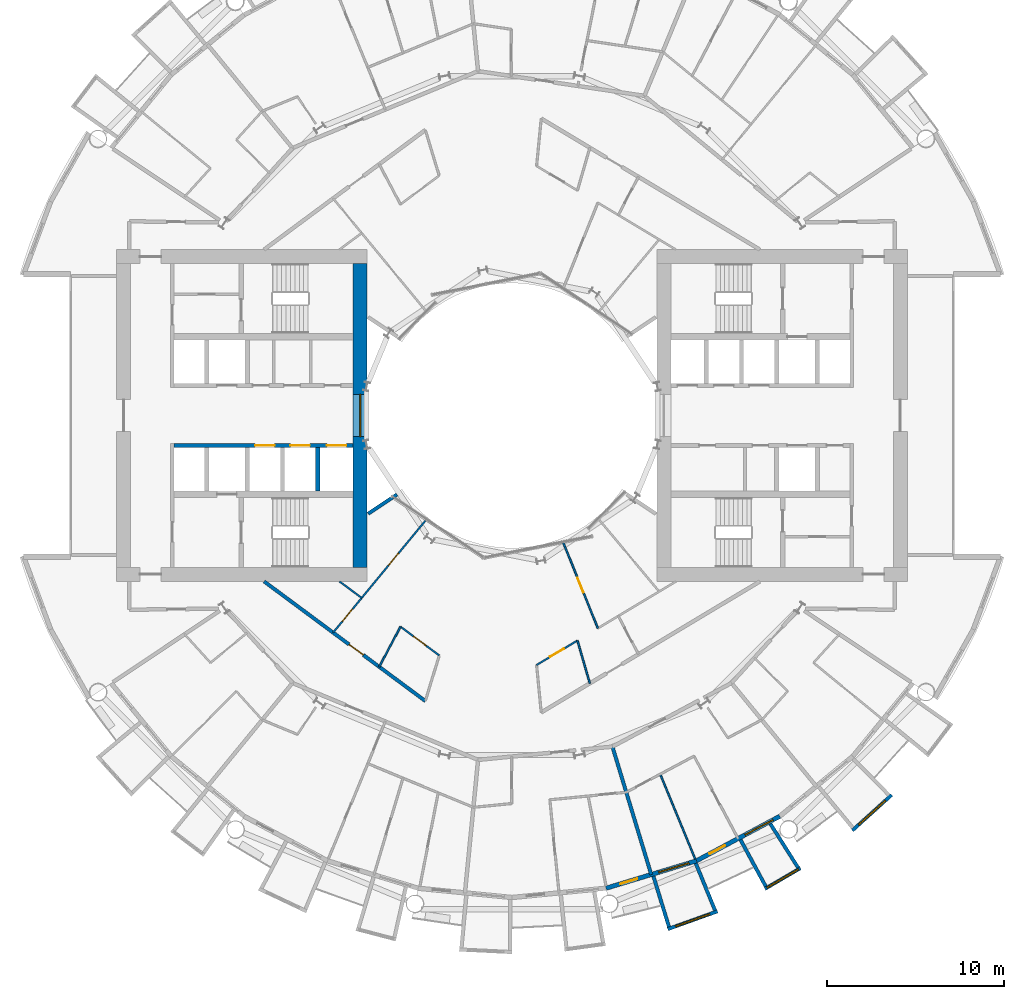
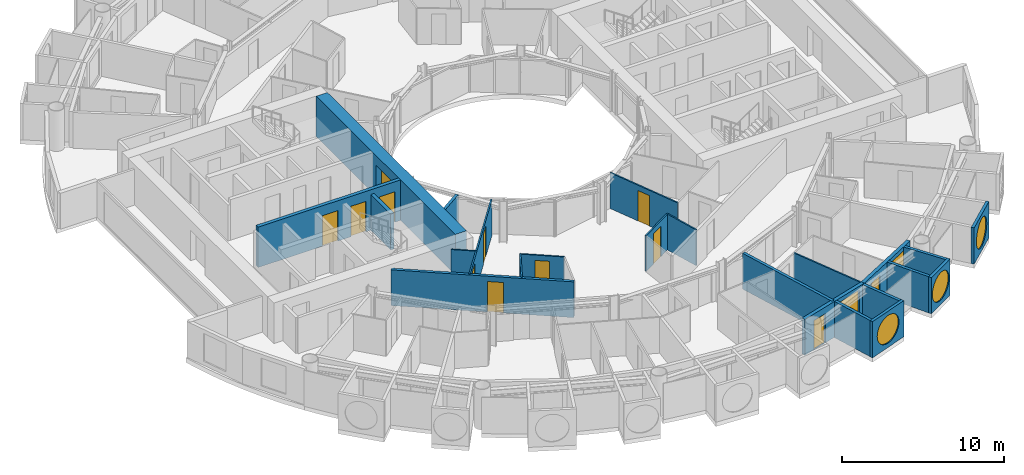
# One storey, part 15 of 26: 23 walls, 11 doors, 6 windows, 17 openings.
"""IFC4 building model written with IfcOpenShell, lengths in metres."""

from ifc_helpers import new_model, si_unit, direction, frame, frame_2d, origin, place, context, subcontext, project, spatial, rectangle, circle, extrude, material, layer, layer_set, type_object, element, fill, save


model = new_model("IFC4")

# Units and contexts
model_context = context("Model", 3, precision=1e-05, world=origin(), true_north=direction((0.0, 1.0)))
body_context = subcontext(model_context, "Body", "Model", "MODEL_VIEW")
ifc_project = project(units=[si_unit("LENGTHUNIT", "METRE"), si_unit("AREAUNIT", "SQUARE_METRE"), si_unit("VOLUMEUNIT", "CUBIC_METRE"), si_unit("PLANEANGLEUNIT", "RADIAN"), si_unit("MASSUNIT", "GRAM", prefix="KILO")], contexts=[model_context])

# Site, building, storey
site_placement = place(None, origin())
site = spatial("IfcSite", under=ifc_project, at=site_placement, CompositionType="ELEMENT")
building_placement = place(site_placement, origin())
building = spatial("IfcBuilding", under=site, at=building_placement, Name="Maasbend Ring Residences", CompositionType="ELEMENT")
storey_placement = place(building_placement, frame((0.0, 0.0, 50.25)))
storey = spatial("IfcBuildingStorey", under=building, at=storey_placement, Name="L14", CompositionType="ELEMENT", Elevation=50.25)

# Wall, openings, doors
ifc_material_1 = material(Name="Concrete C70/85", Category="concrete")
ifc_layer_1 = layer(ifc_material_1, 0.25)
ifc_layer_set_1 = layer_set([ifc_layer_1], Name="Concrete C70/85")
wall_type_1 = type_object("IfcWallType", Name="CORE WALL 250 C70/85", PredefinedType="SHEAR", material=ifc_layer_set_1)
wall_1_placement = place(storey_placement, frame((-9.0, -1.699951171875, 0.0), z_axis=(0.0, 0.0, 1.0), x_axis=(-1.0, 0.0, 0.0)))
wall_1 = element("IfcWall", 1, at=wall_1_placement, inside=storey, type_object=wall_type_1, Name="L14 core W wall SPN", PredefinedType="SHEAR", context=body_context, shape_type="SweptSolid", body=[
    extrude(rectangle(XDim=10.14990234375, YDim=0.25, at=frame_2d((5.074951171875, 0.0))), origin(), (0.0, 0.0, 1.0), 3.050048828125),
])
opening_1_placement = place(wall_1_placement, frame((0.387451171875, 0.0, 0.0)))
opening_1 = element("IfcOpeningElement", 2, at=opening_1_placement, cuts=wall_1, Name="Opening LD-W1401", PredefinedType="OPENING", context=body_context, shape_type="SweptSolid", body=[
    extrude(rectangle(XDim=1.10009765625, YDim=2.300048828125, at=frame_2d((0.550048828125, 1.14990234375))), frame((0.0, 0.135009765625, 0.0), z_axis=(0.0, -1.0, 0.0), x_axis=(1.0, 0.0, 0.0)), (0.0, 0.0, 1.0), 0.27001953125),
])
opening_2_placement = place(wall_1_placement, frame((2.449951171875, 0.0, 0.0)))
opening_2 = element("IfcOpeningElement", 3, at=opening_2_placement, cuts=wall_1, Name="Opening LD-W1402", PredefinedType="OPENING", context=body_context, shape_type="SweptSolid", body=[
    extrude(rectangle(XDim=1.10009765625, YDim=2.300048828125, at=frame_2d((0.550048828125, 1.14990234375))), frame((0.0, 0.135009765625, 0.0), z_axis=(0.0, -1.0, 0.0), x_axis=(1.0, 0.0, 0.0)), (0.0, 0.0, 1.0), 0.27001953125),
])
opening_3_placement = place(wall_1_placement, frame((4.449951171875, 0.0, 0.0)))
opening_3 = element("IfcOpeningElement", 4, at=opening_3_placement, cuts=wall_1, Name="Opening LD-W1403", PredefinedType="OPENING", context=body_context, shape_type="SweptSolid", body=[
    extrude(rectangle(XDim=1.10009765625, YDim=2.300048828125, at=frame_2d((0.550048828125, 1.14990234375))), frame((0.0, 0.135009765625, 0.0), z_axis=(0.0, -1.0, 0.0), x_axis=(1.0, 0.0, 0.0)), (0.0, 0.0, 1.0), 0.27001953125),
])
ifc_material_2 = material(Name="Stainless steel 316", Category="steel")
door_type_1 = type_object("IfcDoorType", Name="LANDING DOOR 1100 X 2300 FD60", OperationType="DOUBLE_DOOR_SLIDING", PredefinedType="DOOR", material=ifc_material_2)
door_1_placement = place(opening_1_placement, origin())
door_1 = element("IfcDoor", 5, at=door_1_placement, inside=storey, type_object=door_type_1, Name="Landing door LR-W1 L14", OperationType="DOUBLE_DOOR_SLIDING", OverallHeight=2.300048828125, OverallWidth=1.10009765625, PredefinedType="DOOR", context=body_context, shape_type="SweptSolid", body=[
    extrude(rectangle(XDim=1.10009765625, YDim=2.300048828125, at=frame_2d((0.550048828125, 1.14990234375))), frame((0.0, 0.02490234375, 0.0), z_axis=(0.0, -1.0, 0.0), x_axis=(1.0, 0.0, 0.0)), (0.0, 0.0, 1.0), 0.050048828125),
])
fill(opening_1, door_1)
door_2_placement = place(opening_2_placement, origin())
door_2 = element("IfcDoor", 6, at=door_2_placement, inside=storey, type_object=door_type_1, Name="Landing door LR-W2 L14", OperationType="DOUBLE_DOOR_SLIDING", OverallHeight=2.300048828125, OverallWidth=1.10009765625, PredefinedType="DOOR", context=body_context, shape_type="SweptSolid", body=[
    extrude(rectangle(XDim=1.10009765625, YDim=2.300048828125, at=frame_2d((0.550048828125, 1.14990234375))), frame((0.0, 0.02490234375, 0.0), z_axis=(0.0, -1.0, 0.0), x_axis=(1.0, 0.0, 0.0)), (0.0, 0.0, 1.0), 0.050048828125),
])
fill(opening_2, door_2)
door_3_placement = place(opening_3_placement, origin())
door_3 = element("IfcDoor", 7, at=door_3_placement, inside=storey, type_object=door_type_1, Name="Landing door LR-W3 L14", OperationType="DOUBLE_DOOR_SLIDING", OverallHeight=2.300048828125, OverallWidth=1.10009765625, PredefinedType="DOOR", context=body_context, shape_type="SweptSolid", body=[
    extrude(rectangle(XDim=1.10009765625, YDim=2.300048828125, at=frame_2d((0.550048828125, 1.14990234375))), frame((0.0, 0.02490234375, 0.0), z_axis=(0.0, -1.0, 0.0), x_axis=(1.0, 0.0, 0.0)), (0.0, 0.0, 1.0), 0.050048828125),
])
fill(opening_3, door_3)

# Wall, opening, window
ifc_material_3 = material(Name="Concrete C70/85", Category="concrete")
ifc_layer_2 = layer(ifc_material_3, 0.800048828125)
ifc_layer_set_2 = layer_set([ifc_layer_2], Name="Concrete C70/85")
wall_type_2 = type_object("IfcWallType", Name="CORE WALL 800 C70/85", PredefinedType="SHEAR", material=ifc_layer_set_2)
wall_2_placement = place(storey_placement, frame((-8.60009765625, 8.60009765625, 0.0), z_axis=(0.0, 0.0, 1.0), x_axis=(0.0, -1.0, 0.0)))
wall_2 = element("IfcWall", 8, at=wall_2_placement, inside=storey, type_object=wall_type_2, Name="L14 core W wall PIN", PredefinedType="SHEAR", context=body_context, shape_type="SweptSolid", body=[
    extrude(rectangle(XDim=17.2001953125, YDim=0.800048828125, at=frame_2d((8.60009765625, 0.0))), origin(), (0.0, 0.0, 1.0), 3.050048828125),
])
opening_4_placement = place(wall_2_placement, frame((7.39990234375, 0.0, 0.10009765625)))
opening_4 = element("IfcOpeningElement", 9, at=opening_4_placement, cuts=wall_2, Name="Opening W-W1401", PredefinedType="OPENING", context=body_context, shape_type="SweptSolid", body=[
    extrude(rectangle(XDim=2.39990234375, YDim=2.199951171875, at=frame_2d((1.199951171875, 1.10009765625))), frame((0.0, 0.41015625, 0.0), z_axis=(0.0, -1.0, 0.0), x_axis=(1.0, 0.0, 0.0)), (0.0, 0.0, 1.0), 0.820068359375),
])
ifc_material_4 = material(Name="Aluminium frame and clear glass", Category="aluminium")
window_type_1 = type_object("IfcWindowType", Name="FIXED WINDOW 2400 X 2200", PartitioningType="SINGLE_PANEL", PredefinedType="WINDOW", material=ifc_material_4)
window_1_placement = place(opening_4_placement, origin())
window_1 = element("IfcWindow", 10, at=window_1_placement, inside=storey, type_object=window_type_1, Name="Lobby window L14", OverallHeight=2.199951171875, OverallWidth=2.39990234375, PartitioningType="SINGLE_PANEL", PredefinedType="WINDOW", context=body_context, shape_type="SweptSolid", body=[
    extrude(rectangle(XDim=2.39990234375, YDim=2.199951171875, at=frame_2d((1.199951171875, 1.10009765625))), frame((0.0, 0.030029296875, 0.0), z_axis=(0.0, -1.0, 0.0), x_axis=(1.0, 0.0, 0.0)), (0.0, 0.0, 1.0), 0.06005859375),
])
fill(opening_4, window_1)

# Wall, opening, door
ifc_material_5 = material(Name="Concrete C30/37", Category="concrete")
ifc_layer_3 = layer(ifc_material_5, 0.199951171875)
ifc_layer_set_3 = layer_set([ifc_layer_3], Name="Concrete C30/37")
wall_type_3 = type_object("IfcWallType", Name="CORRIDOR WALL 200 CONCRETE", PredefinedType="PARTITIONING", material=ifc_layer_set_3)
wall_3_placement = place(storey_placement, frame((-14.037109375, -9.39990234375, 0.0), z_axis=(0.0, 0.0, 1.0), x_axis=(0.803202106898, -0.595706618626, 0.0)))
wall_3 = element("IfcWall", 11, at=wall_3_placement, inside=storey, type_object=wall_type_3, Name="U-L14-w020", PredefinedType="PARTITIONING", context=body_context, shape_type="SweptSolid", body=[
    extrude(rectangle(XDim=11.368408203125, YDim=0.199951171875, at=frame_2d((5.68408203125, 0.0))), origin(), (0.0, 0.0, 1.0), 2.699951171875),
])
opening_5_placement = place(wall_3_placement, frame((5.988037109375, 0.0, 0.0)))
opening_5 = element("IfcOpeningElement", 12, at=opening_5_placement, cuts=wall_3, Name="Opening D-1450", PredefinedType="OPENING", context=body_context, shape_type="SweptSolid", body=[
    extrude(rectangle(XDim=1.0, YDim=2.300048828125, at=frame_2d((0.5, 1.14990234375))), frame((0.0, 0.10986328125, 0.0), z_axis=(0.0, -1.0, 0.0), x_axis=(1.0, 0.0, 0.0)), (0.0, 0.0, 1.0), 0.219970703125),
])
ifc_material_6 = material(Name="Timber, fire-rated, painted", Category="wood")
door_type_2 = type_object("IfcDoorType", Name="FLAT ENTRANCE DOOR 1000 X 2300 FIRE-RATED", OperationType="NOTDEFINED", PredefinedType="DOOR", material=ifc_material_6)
door_4_placement = place(opening_5_placement, origin())
door_4 = element("IfcDoor", 13, at=door_4_placement, inside=storey, type_object=door_type_2, Name="D-1450", OperationType="SINGLE_SWING_RIGHT", OverallHeight=2.300048828125, OverallWidth=1.0, PredefinedType="DOOR", context=body_context, shape_type="SweptSolid", body=[
    extrude(rectangle(XDim=1.0, YDim=2.300048828125, at=frame_2d((0.5, 1.14990234375))), frame((0.0, 0.02490234375, 0.0), z_axis=(0.0, -1.0, 0.0), x_axis=(1.0, 0.0, 0.0)), (0.0, 0.0, 1.0), 0.050048828125),
])
fill(opening_5, door_4)

# Wall, opening, window
ifc_material_7 = material(Name="Pale anodised aluminium panel", Category="aluminium")
ifc_layer_4 = layer(ifc_material_7, 0.199951171875)
ifc_layer_set_4 = layer_set([ifc_layer_4], Name="EW-BOX")
wall_type_4 = type_object("IfcWallType", Name="EW-BOX", PredefinedType="SOLIDWALL", material=ifc_layer_set_4)
wall_4_placement = place(storey_placement, frame((8.820068359375, -29.093017578125, -0.030029296875), z_axis=(0.0, 0.0, 1.0), x_axis=(0.941461077774, 0.337121697664, 0.0)))
wall_4 = element("IfcWall", 14, at=wall_4_placement, inside=storey, type_object=wall_type_4, Name="Box front S14", PredefinedType="SOLIDWALL", context=body_context, shape_type="SweptSolid", body=[
    extrude(rectangle(XDim=2.9931640625, YDim=0.199951171875, at=frame_2d((1.49658203125, 0.0))), origin(), (0.0, 0.0, 1.0), 2.72998046875),
])
opening_6_placement = place(wall_4_placement, frame((0.45654296875, 0.0, 0.330078125)))
opening_6 = element("IfcOpeningElement", 15, at=opening_6_placement, cuts=wall_4, Name="Opening W-RD", PredefinedType="OPENING", context=body_context, shape_type="SweptSolid", body=[
    extrude(circle(Radius=1.0400390625, at=frame_2d((1.0400390625, 1.0400390625))), frame((0.0, 0.10986328125, 0.0), z_axis=(0.0, -1.0, 0.0), x_axis=(1.0, 0.0, 0.0)), (0.0, 0.0, 1.0), 0.219970703125),
])
ifc_material_8 = material(Name="Aluminium and clear glass", Category="aluminium")
window_type_2 = type_object("IfcWindowType", Name="W-RD", PartitioningType="SINGLE_PANEL", PredefinedType="WINDOW", material=ifc_material_8)
window_2_placement = place(opening_6_placement, origin())
window_2 = element("IfcWindow", 16, at=window_2_placement, inside=storey, type_object=window_type_2, Name="Round window S14", OverallHeight=2.080078125, OverallWidth=2.080078125, PartitioningType="SINGLE_PANEL", PredefinedType="WINDOW", context=body_context, shape_type="SweptSolid", body=[
    extrude(circle(Radius=1.0400390625, at=frame_2d((1.0400390625, 1.0400390625))), frame((0.0, 0.030029296875, 0.0), z_axis=(0.0, -1.0, 0.0), x_axis=(1.0, 0.0, 0.0)), (0.0, 0.0, 1.0), 0.06005859375),
])
fill(opening_6, window_2)

# Walls
wall_5_placement = place(storey_placement, frame((8.009033203125, -26.092041015625, -0.030029296875), z_axis=(0.0, 0.0, 1.0), x_axis=(0.293406695073, -0.955987715029, 0.0)))
element("IfcWall", 17, at=wall_5_placement, inside=storey, type_object=wall_type_4, Name="Box side wall S14 left", PredefinedType="SOLIDWALL", context=body_context, shape_type="SweptSolid", body=[
    extrude(rectangle(XDim=3.00634765625, YDim=0.199951171875, at=frame_2d((1.503173828125, 0.0))), origin(), (0.0, 0.0, 1.0), 2.72998046875),
])
wall_6_placement = place(storey_placement, frame((10.408935546875, -25.364013671875, -0.030029296875), z_axis=(0.0, 0.0, 1.0), x_axis=(0.379509886562, -0.925187681501, 0.0)))
element("IfcWall", 18, at=wall_6_placement, inside=storey, type_object=wall_type_4, Name="Box side wall S14 right", PredefinedType="SOLIDWALL", context=body_context, shape_type="SweptSolid", body=[
    extrude(rectangle(XDim=2.882568359375, YDim=0.199951171875, at=frame_2d((1.44140625, 0.0))), origin(), (0.0, 0.0, 1.0), 2.72998046875),
])

# Wall, opening, window
wall_7_placement = place(storey_placement, frame((14.326904296875, -26.81201171875, -0.030029296875), z_axis=(0.0, 0.0, 1.0), x_axis=(0.863346521872, 0.504611517081, 0.0)))
wall_7 = element("IfcWall", 19, at=wall_7_placement, inside=storey, type_object=wall_type_4, Name="Box front S16", PredefinedType="SOLIDWALL", context=body_context, shape_type="SweptSolid", body=[
    extrude(rectangle(XDim=2.33642578125, YDim=0.199951171875, at=frame_2d((1.168212890625, 0.0))), origin(), (0.0, 0.0, 1.0), 2.72998046875),
])
opening_7_placement = place(wall_7_placement, frame((0.128173828125, 0.0, 0.330078125)))
opening_7 = element("IfcOpeningElement", 20, at=opening_7_placement, cuts=wall_7, Name="Opening W-RD", PredefinedType="OPENING", context=body_context, shape_type="SweptSolid", body=[
    extrude(circle(Radius=1.0400390625, at=frame_2d((1.0400390625, 1.0400390625))), frame((0.0, 0.10986328125, 0.0), z_axis=(0.0, -1.0, 0.0), x_axis=(1.0, 0.0, 0.0)), (0.0, 0.0, 1.0), 0.219970703125),
])
window_3_placement = place(opening_7_placement, origin())
window_3 = element("IfcWindow", 21, at=window_3_placement, inside=storey, type_object=window_type_2, Name="Round window S16", OverallHeight=2.080078125, OverallWidth=2.080078125, PartitioningType="SINGLE_PANEL", PredefinedType="WINDOW", context=body_context, shape_type="SweptSolid", body=[
    extrude(circle(Radius=1.0400390625, at=frame_2d((1.0400390625, 1.0400390625))), frame((0.0, 0.030029296875, 0.0), z_axis=(0.0, -1.0, 0.0), x_axis=(1.0, 0.0, 0.0)), (0.0, 0.0, 1.0), 0.06005859375),
])
fill(opening_7, window_3)

# Walls
wall_8_placement = place(storey_placement, frame((12.945068359375, -24.029052734375, -0.030029296875), z_axis=(0.0, 0.0, 1.0), x_axis=(0.474424310775, -0.88029629861, 0.0)))
element("IfcWall", 22, at=wall_8_placement, inside=storey, type_object=wall_type_4, Name="Box side wall S16 left", PredefinedType="SOLIDWALL", context=body_context, shape_type="SweptSolid", body=[
    extrude(rectangle(XDim=3.005859375, YDim=0.199951171875, at=frame_2d((1.5029296875, 0.0))), origin(), (0.0, 0.0, 1.0), 2.72998046875),
])
wall_9_placement = place(storey_placement, frame((14.635009765625, -23.1259765625, -0.030029296875), z_axis=(0.0, 0.0, 1.0), x_axis=(0.534437802731, -0.845207805816, 0.0)))
element("IfcWall", 23, at=wall_9_placement, inside=storey, type_object=wall_type_4, Name="Box side wall S16 right", PredefinedType="SOLIDWALL", context=body_context, shape_type="SweptSolid", body=[
    extrude(rectangle(XDim=2.931884765625, YDim=0.199951171875, at=frame_2d((1.4658203125, 0.0))), origin(), (0.0, 0.0, 1.0), 2.72998046875),
])

# Wall, opening, window
wall_10_placement = place(storey_placement, frame((19.281982421875, -23.5029296875, -0.030029296875), z_axis=(0.0, 0.0, 1.0), x_axis=(0.740998365753, 0.671506829416, 0.0)))
wall_10 = element("IfcWall", 24, at=wall_10_placement, inside=storey, type_object=wall_type_4, Name="Box front S18", PredefinedType="SOLIDWALL", context=body_context, shape_type="SweptSolid", body=[
    extrude(rectangle(XDim=2.9931640625, YDim=0.199951171875, at=frame_2d((1.49658203125, 0.0))), origin(), (0.0, 0.0, 1.0), 2.72998046875),
])
opening_8_placement = place(wall_10_placement, frame((0.45654296875, 0.0, 0.330078125)))
opening_8 = element("IfcOpeningElement", 25, at=opening_8_placement, cuts=wall_10, Name="Opening W-RD", PredefinedType="OPENING", context=body_context, shape_type="SweptSolid", body=[
    extrude(circle(Radius=1.0400390625, at=frame_2d((1.0400390625, 1.0400390625))), frame((0.0, 0.10986328125, 0.0), z_axis=(0.0, -1.0, 0.0), x_axis=(1.0, 0.0, 0.0)), (0.0, 0.0, 1.0), 0.219970703125),
])
window_4_placement = place(opening_8_placement, origin())
window_4 = element("IfcWindow", 26, at=window_4_placement, inside=storey, type_object=window_type_2, Name="Round window S18", OverallHeight=2.080078125, OverallWidth=2.080078125, PartitioningType="SINGLE_PANEL", PredefinedType="WINDOW", context=body_context, shape_type="SweptSolid", body=[
    extrude(circle(Radius=1.0400390625, at=frame_2d((1.0400390625, 1.0400390625))), frame((0.0, 0.030029296875, 0.0), z_axis=(0.0, -1.0, 0.0), x_axis=(1.0, 0.0, 0.0)), (0.0, 0.0, 1.0), 0.06005859375),
])
fill(opening_8, window_4)

# Wall, openings, door, window
ifc_material_9 = material(Name="Aluminium clad insulated panel", Category="aluminium")
ifc_layer_5 = layer(ifc_material_9, 0.25)
ifc_layer_set_5 = layer_set([ifc_layer_5], Name="EW-GL")
wall_type_5 = type_object("IfcWallType", Name="EW-GL", PredefinedType="SOLIDWALL", material=ifc_layer_set_5)
wall_11_placement = place(storey_placement, frame((5.325927734375, -26.77490234375, 0.0), z_axis=(0.0, 0.0, 1.0), x_axis=(0.956965678721, 0.290201119486, 0.0)))
wall_11 = element("IfcWall", 27, at=wall_11_placement, inside=storey, type_object=wall_type_5, Name="External wall S07", PredefinedType="SOLIDWALL", context=body_context, shape_type="SweptSolid", body=[
    extrude(rectangle(XDim=5.351318359375, YDim=0.25, at=frame_2d((2.67578125, 0.0))), origin(), (0.0, 0.0, 1.0), 2.699951171875),
])
opening_9_placement = place(wall_11_placement, frame((0.841064453125, 0.0, 0.0)))
opening_9 = element("IfcOpeningElement", 28, at=opening_9_placement, cuts=wall_11, Name="Opening D-LG", PredefinedType="OPENING", context=body_context, shape_type="SweptSolid", body=[
    extrude(rectangle(XDim=1.0, YDim=2.199951171875, at=frame_2d((0.5, 1.10009765625))), frame((0.0, 0.135009765625, 0.0), z_axis=(0.0, -1.0, 0.0), x_axis=(1.0, 0.0, 0.0)), (0.0, 0.0, 1.0), 0.27001953125),
])
opening_10_placement = place(wall_11_placement, frame((3.110595703125, 0.0, 0.300048828125)))
opening_10 = element("IfcOpeningElement", 29, at=opening_10_placement, cuts=wall_11, Name="Opening W-BX", PredefinedType="OPENING", context=body_context, shape_type="SweptSolid", body=[
    extrude(rectangle(XDim=1.800048828125, YDim=2.10009765625, at=frame_2d((0.89990234375, 1.050048828125))), frame((0.0, 0.135009765625, 0.0), z_axis=(0.0, -1.0, 0.0), x_axis=(1.0, 0.0, 0.0)), (0.0, 0.0, 1.0), 0.27001953125),
])
ifc_material_10 = material(Name="Aluminium and clear glass", Category="aluminium")
door_type_3 = type_object("IfcDoorType", Name="D-LG", OperationType="SINGLE_SWING_LEFT", PredefinedType="DOOR", material=ifc_material_10)
door_5_placement = place(opening_9_placement, origin())
door_5 = element("IfcDoor", 30, at=door_5_placement, inside=storey, type_object=door_type_3, Name="Loggia door S13", OperationType="SINGLE_SWING_LEFT", OverallHeight=2.199951171875, OverallWidth=1.0, PredefinedType="DOOR", context=body_context, shape_type="SweptSolid", body=[
    extrude(rectangle(XDim=1.0, YDim=2.199951171875, at=frame_2d((0.5, 1.10009765625))), frame((0.0, 0.02490234375, 0.0), z_axis=(0.0, -1.0, 0.0), x_axis=(1.0, 0.0, 0.0)), (0.0, 0.0, 1.0), 0.050048828125),
])
fill(opening_9, door_5)
ifc_material_11 = material(Name="Aluminium and clear glass", Category="aluminium")
window_type_3 = type_object("IfcWindowType", Name="W-BX", PartitioningType="DOUBLE_PANEL_VERTICAL", PredefinedType="WINDOW", material=ifc_material_11)
window_5_placement = place(opening_10_placement, origin())
window_5 = element("IfcWindow", 31, at=window_5_placement, inside=storey, type_object=window_type_3, Name="Window S14 room to box", OverallHeight=2.10009765625, OverallWidth=1.800048828125, PartitioningType="SINGLE_PANEL", PredefinedType="WINDOW", context=body_context, shape_type="SweptSolid", body=[
    extrude(rectangle(XDim=1.800048828125, YDim=2.10009765625, at=frame_2d((0.89990234375, 1.050048828125))), frame((0.0, 0.030029296875, 0.0), z_axis=(0.0, -1.0, 0.0), x_axis=(1.0, 0.0, 0.0)), (0.0, 0.0, 1.0), 0.06005859375),
])
fill(opening_10, window_5)

wall_12_placement = place(storey_placement, frame((10.447021484375, -25.221923828125, 0.0), z_axis=(0.0, 0.0, 1.0), x_axis=(0.881915646801, 0.471407246368, 0.0)))
wall_12 = element("IfcWall", 32, at=wall_12_placement, inside=storey, type_object=wall_type_5, Name="External wall S08", PredefinedType="SOLIDWALL", context=body_context, shape_type="SweptSolid", body=[
    extrude(rectangle(XDim=5.35205078125, YDim=0.25, at=frame_2d((2.676025390625, 0.0))), origin(), (0.0, 0.0, 1.0), 2.699951171875),
])
opening_11_placement = place(wall_12_placement, frame((0.841064453125, 0.0, 0.0)))
opening_11 = element("IfcOpeningElement", 33, at=opening_11_placement, cuts=wall_12, Name="Opening D-LG", PredefinedType="OPENING", context=body_context, shape_type="SweptSolid", body=[
    extrude(rectangle(XDim=1.0, YDim=2.199951171875, at=frame_2d((0.5, 1.10009765625))), frame((0.0, 0.135009765625, 0.0), z_axis=(0.0, -1.0, 0.0), x_axis=(1.0, 0.0, 0.0)), (0.0, 0.0, 1.0), 0.27001953125),
])
opening_12_placement = place(wall_12_placement, frame((3.110595703125, 0.0, 0.300048828125)))
opening_12 = element("IfcOpeningElement", 34, at=opening_12_placement, cuts=wall_12, Name="Opening W-BX", PredefinedType="OPENING", context=body_context, shape_type="SweptSolid", body=[
    extrude(rectangle(XDim=1.800048828125, YDim=2.10009765625, at=frame_2d((0.89990234375, 1.050048828125))), frame((0.0, 0.135009765625, 0.0), z_axis=(0.0, -1.0, 0.0), x_axis=(1.0, 0.0, 0.0)), (0.0, 0.0, 1.0), 0.27001953125),
])
door_6_placement = place(opening_11_placement, origin())
door_6 = element("IfcDoor", 35, at=door_6_placement, inside=storey, type_object=door_type_3, Name="Loggia door S15", OperationType="SINGLE_SWING_LEFT", OverallHeight=2.199951171875, OverallWidth=1.0, PredefinedType="DOOR", context=body_context, shape_type="SweptSolid", body=[
    extrude(rectangle(XDim=1.0, YDim=2.199951171875, at=frame_2d((0.5, 1.10009765625))), frame((0.0, 0.02490234375, 0.0), z_axis=(0.0, -1.0, 0.0), x_axis=(1.0, 0.0, 0.0)), (0.0, 0.0, 1.0), 0.050048828125),
])
fill(opening_11, door_6)
window_6_placement = place(opening_12_placement, origin())
window_6 = element("IfcWindow", 36, at=window_6_placement, inside=storey, type_object=window_type_3, Name="Window S16 room to box", OverallHeight=2.10009765625, OverallWidth=1.800048828125, PartitioningType="SINGLE_PANEL", PredefinedType="WINDOW", context=body_context, shape_type="SweptSolid", body=[
    extrude(rectangle(XDim=1.800048828125, YDim=2.10009765625, at=frame_2d((0.89990234375, 1.050048828125))), frame((0.0, 0.030029296875, 0.0), z_axis=(0.0, -1.0, 0.0), x_axis=(1.0, 0.0, 0.0)), (0.0, 0.0, 1.0), 0.06005859375),
])
fill(opening_12, window_6)

# Wall
ifc_material_12 = material(Name="Gypsum board on steel studs", Category="steel")
ifc_layer_6 = layer(ifc_material_12, 0.10009765625)
ifc_layer_set_6 = layer_set([ifc_layer_6], Name="PARTITION 100 GYPSUM")
wall_type_6 = type_object("IfcWallType", Name="PARTITION 100 GYPSUM", PredefinedType="PARTITIONING", material=ifc_layer_set_6)
wall_13_placement = place(storey_placement, frame((-9.77001953125, -9.39990234375, 0.0), z_axis=(0.0, 0.0, 1.0), x_axis=(0.803264156882, -0.595622946392, 0.0)))
element("IfcWall", 37, at=wall_13_placement, inside=storey, type_object=wall_type_6, Name="U-L14-w022", PredefinedType="PARTITIONING", context=body_context, shape_type="SweptSolid", body=[
    extrude(rectangle(XDim=1.56494140625, YDim=0.10009765625, at=frame_2d((0.782470703125, 0.0))), origin(), (0.0, 0.0, 1.0), 2.699951171875),
])

# Wall, opening, door
wall_14_placement = place(storey_placement, frame((-6.31494140625, -11.9609375, 0.0), z_axis=(0.0, 0.0, 1.0), x_axis=(0.803128348509, -0.595806055542, 0.0)))
wall_14 = element("IfcWall", 38, at=wall_14_placement, inside=storey, type_object=wall_type_6, Name="U-L14-w023", PredefinedType="PARTITIONING", context=body_context, shape_type="SweptSolid", body=[
    extrude(rectangle(XDim=2.734375, YDim=0.10009765625, at=frame_2d((1.3671875, 0.0))), origin(), (0.0, 0.0, 1.0), 2.699951171875),
])
opening_13_placement = place(wall_14_placement, frame((0.9140625, 0.0, 0.0)))
opening_13 = element("IfcOpeningElement", 39, at=opening_13_placement, cuts=wall_14, Name="Opening D-1451", PredefinedType="OPENING", context=body_context, shape_type="SweptSolid", body=[
    extrude(rectangle(XDim=0.89990234375, YDim=2.300048828125, at=frame_2d((0.449951171875, 1.14990234375))), frame((0.0, 0.06005859375, 0.0), z_axis=(0.0, -1.0, 0.0), x_axis=(1.0, 0.0, 0.0)), (0.0, 0.0, 1.0), 0.1201171875),
])
ifc_material_13 = material(Name="Timber, painted", Category="wood")
door_type_4 = type_object("IfcDoorType", Name="INTERNAL DOOR 900 X 2300", OperationType="NOTDEFINED", PredefinedType="DOOR", material=ifc_material_13)
door_7_placement = place(opening_13_placement, origin())
door_7 = element("IfcDoor", 40, at=door_7_placement, inside=storey, type_object=door_type_4, Name="D-1451", OperationType="SINGLE_SWING_LEFT", OverallHeight=2.300048828125, OverallWidth=0.89990234375, PredefinedType="DOOR", context=body_context, shape_type="SweptSolid", body=[
    extrude(rectangle(XDim=0.89990234375, YDim=2.300048828125, at=frame_2d((0.449951171875, 1.14990234375))), frame((0.0, 0.02490234375, 0.0), z_axis=(0.0, -1.0, 0.0), x_axis=(1.0, 0.0, 0.0)), (0.0, 0.0, 1.0), 0.050048828125),
])
fill(opening_13, door_7)

wall_15_placement = place(storey_placement, frame((1.387939453125, -14.134033203125, 0.0), z_axis=(0.0, 0.0, 1.0), x_axis=(0.857820034452, 0.513950180945, 0.0)))
wall_15 = element("IfcWall", 41, at=wall_15_placement, inside=storey, type_object=wall_type_6, Name="U-L14-w024", PredefinedType="PARTITIONING", context=body_context, shape_type="SweptSolid", body=[
    extrude(rectangle(XDim=2.69873046875, YDim=0.10009765625, at=frame_2d((1.349365234375, 0.0))), origin(), (0.0, 0.0, 1.0), 2.699951171875),
])
opening_14_placement = place(wall_15_placement, frame((0.904052734375, 0.0, 0.0)))
opening_14 = element("IfcOpeningElement", 42, at=opening_14_placement, cuts=wall_15, Name="Opening D-1455", PredefinedType="OPENING", context=body_context, shape_type="SweptSolid", body=[
    extrude(rectangle(XDim=0.89990234375, YDim=2.300048828125, at=frame_2d((0.449951171875, 1.14990234375))), frame((0.0, 0.06005859375, 0.0), z_axis=(0.0, -1.0, 0.0), x_axis=(1.0, 0.0, 0.0)), (0.0, 0.0, 1.0), 0.1201171875),
])
door_8_placement = place(opening_14_placement, origin())
door_8 = element("IfcDoor", 43, at=door_8_placement, inside=storey, type_object=door_type_4, Name="D-1455", OperationType="SINGLE_SWING_RIGHT", OverallHeight=2.300048828125, OverallWidth=0.89990234375, PredefinedType="DOOR", context=body_context, shape_type="SweptSolid", body=[
    extrude(rectangle(XDim=0.89990234375, YDim=2.300048828125, at=frame_2d((0.449951171875, 1.14990234375))), frame((0.0, 0.02490234375, 0.0), z_axis=(0.0, -1.0, 0.0), x_axis=(1.0, 0.0, 0.0)), (0.0, 0.0, 1.0), 0.050048828125),
])
fill(opening_14, door_8)

# Wall, openings, doors
wall_16_placement = place(storey_placement, frame((-10.132080078125, -12.2958984375, 0.0), z_axis=(0.0, 0.0, 1.0), x_axis=(0.636105207978, 0.771602335652, 0.0)))
wall_16 = element("IfcWall", 44, at=wall_16_placement, inside=storey, type_object=wall_type_6, Name="U-L14-w043", PredefinedType="PARTITIONING", context=body_context, shape_type="SweptSolid", body=[
    extrude(rectangle(XDim=8.212646484375, YDim=0.10009765625, at=frame_2d((4.1064453125, 0.0))), origin(), (0.0, 0.0, 1.0), 2.699951171875),
])
opening_15_placement = place(wall_16_placement, frame((0.821044921875, 0.0, 0.0)))
opening_15 = element("IfcOpeningElement", 45, at=opening_15_placement, cuts=wall_16, Name="Opening D-1452", PredefinedType="OPENING", context=body_context, shape_type="SweptSolid", body=[
    extrude(rectangle(XDim=0.89990234375, YDim=2.300048828125, at=frame_2d((0.449951171875, 1.14990234375))), frame((0.0, 0.06005859375, 0.0), z_axis=(0.0, -1.0, 0.0), x_axis=(1.0, 0.0, 0.0)), (0.0, 0.0, 1.0), 0.1201171875),
])
opening_16_placement = place(wall_16_placement, frame((4.928955078125, 0.0, 0.0)))
opening_16 = element("IfcOpeningElement", 46, at=opening_16_placement, cuts=wall_16, Name="Opening D-1453", PredefinedType="OPENING", context=body_context, shape_type="SweptSolid", body=[
    extrude(rectangle(XDim=0.89990234375, YDim=2.300048828125, at=frame_2d((0.449951171875, 1.14990234375))), frame((0.0, 0.06005859375, 0.0), z_axis=(0.0, -1.0, 0.0), x_axis=(1.0, 0.0, 0.0)), (0.0, 0.0, 1.0), 0.1201171875),
])
door_9_placement = place(opening_15_placement, origin())
door_9 = element("IfcDoor", 47, at=door_9_placement, inside=storey, type_object=door_type_4, Name="D-1452", OperationType="SINGLE_SWING_LEFT", OverallHeight=2.300048828125, OverallWidth=0.89990234375, PredefinedType="DOOR", context=body_context, shape_type="SweptSolid", body=[
    extrude(rectangle(XDim=0.89990234375, YDim=2.300048828125, at=frame_2d((0.449951171875, 1.14990234375))), frame((0.0, 0.02490234375, 0.0), z_axis=(0.0, -1.0, 0.0), x_axis=(1.0, 0.0, 0.0)), (0.0, 0.0, 1.0), 0.050048828125),
])
fill(opening_15, door_9)
door_10_placement = place(opening_16_placement, origin())
door_10 = element("IfcDoor", 48, at=door_10_placement, inside=storey, type_object=door_type_4, Name="D-1453", OperationType="SINGLE_SWING_RIGHT", OverallHeight=2.300048828125, OverallWidth=0.89990234375, PredefinedType="DOOR", context=body_context, shape_type="SweptSolid", body=[
    extrude(rectangle(XDim=0.89990234375, YDim=2.300048828125, at=frame_2d((0.449951171875, 1.14990234375))), frame((0.0, 0.02490234375, 0.0), z_axis=(0.0, -1.0, 0.0), x_axis=(1.0, 0.0, 0.0)), (0.0, 0.0, 1.0), 0.050048828125),
])
fill(opening_16, door_10)

# Wall
wall_17_placement = place(storey_placement, frame((-7.51904296875, -14.23388671875, 0.0), z_axis=(0.0, 0.0, 1.0), x_axis=(0.467001992543, 0.884256263173, 0.0)))
element("IfcWall", 49, at=wall_17_placement, inside=storey, type_object=wall_type_6, Name="U-L14-w047", PredefinedType="PARTITIONING", context=body_context, shape_type="SweptSolid", body=[
    extrude(rectangle(XDim=2.571533203125, YDim=0.10009765625, at=frame_2d((1.28564453125, 0.0))), origin(), (0.0, 0.0, 1.0), 2.699951171875),
])

# Wall, opening, door
wall_18_placement = place(storey_placement, frame((2.888916015625, -7.158935546875, 0.0), z_axis=(0.0, 0.0, 1.0), x_axis=(0.374372761824, -0.927278294367, 0.0)))
wall_18 = element("IfcWall", 50, at=wall_18_placement, inside=storey, type_object=wall_type_6, Name="U-L14-w056", PredefinedType="PARTITIONING", context=body_context, shape_type="SweptSolid", body=[
    extrude(rectangle(XDim=5.275634765625, YDim=0.10009765625, at=frame_2d((2.6376953125, 0.0))), origin(), (0.0, 0.0, 1.0), 2.699951171875),
])
opening_17_placement = place(wall_18_placement, frame((2.18798828125, 0.0, 0.0)))
opening_17 = element("IfcOpeningElement", 51, at=opening_17_placement, cuts=wall_18, Name="Opening D-1457", PredefinedType="OPENING", context=body_context, shape_type="SweptSolid", body=[
    extrude(rectangle(XDim=0.89990234375, YDim=2.300048828125, at=frame_2d((0.449951171875, 1.14990234375))), frame((0.0, 0.06005859375, 0.0), z_axis=(0.0, -1.0, 0.0), x_axis=(1.0, 0.0, 0.0)), (0.0, 0.0, 1.0), 0.1201171875),
])
door_11_placement = place(opening_17_placement, origin())
door_11 = element("IfcDoor", 52, at=door_11_placement, inside=storey, type_object=door_type_4, Name="D-1457", OperationType="SINGLE_SWING_RIGHT", OverallHeight=2.300048828125, OverallWidth=0.89990234375, PredefinedType="DOOR", context=body_context, shape_type="SweptSolid", body=[
    extrude(rectangle(XDim=0.89990234375, YDim=2.300048828125, at=frame_2d((0.449951171875, 1.14990234375))), frame((0.0, 0.02490234375, 0.0), z_axis=(0.0, -1.0, 0.0), x_axis=(1.0, 0.0, 0.0)), (0.0, 0.0, 1.0), 0.050048828125),
])
fill(opening_17, door_11)

# Walls
wall_19_placement = place(storey_placement, frame((3.7060546875, -12.743896484375, 0.0), z_axis=(0.0, 0.0, 1.0), x_axis=(0.279201466266, -0.960232545395, 0.0)))
element("IfcWall", 53, at=wall_19_placement, inside=storey, type_object=wall_type_6, Name="U-L14-w058", PredefinedType="PARTITIONING", context=body_context, shape_type="SweptSolid", body=[
    extrude(rectangle(XDim=2.5244140625, YDim=0.10009765625, at=frame_2d((1.26220703125, 0.0))), origin(), (0.0, 0.0, 1.0), 2.699951171875),
])
wall_20_placement = place(storey_placement, frame((8.39208984375, -20.31396484375, 0.0), z_axis=(0.0, 0.0, 1.0), x_axis=(0.381673756215, -0.924297107978, 0.0)))
element("IfcWall", 54, at=wall_20_placement, inside=storey, type_object=wall_type_6, Name="U-L14-w070", PredefinedType="PARTITIONING", context=body_context, shape_type="SweptSolid", body=[
    extrude(rectangle(XDim=5.1953125, YDim=0.10009765625, at=frame_2d((2.59765625, 0.0))), origin(), (0.0, 0.0, 1.0), 2.699951171875),
])
ifc_material_14 = material(Name="Concrete C30/37", Category="concrete")
ifc_layer_7 = layer(ifc_material_14, 0.199951171875)
ifc_layer_set_7 = layer_set([ifc_layer_7], Name="Concrete C30/37")
wall_type_7 = type_object("IfcWallType", Name="PARTY WALL 200 CONCRETE", PredefinedType="PARTITIONING", material=ifc_layer_set_7)
wall_21_placement = place(storey_placement, frame((-6.512939453125, -4.471923828125, 0.0), z_axis=(0.0, 0.0, 1.0), x_axis=(-0.831417956244, -0.555647533996, 0.0)))
element("IfcWall", 55, at=wall_21_placement, inside=storey, type_object=wall_type_7, Name="U-L14-w028", PredefinedType="PARTITIONING", context=body_context, shape_type="SweptSolid", body=[
    extrude(rectangle(XDim=1.9619140625, YDim=0.199951171875, at=frame_2d((0.98095703125, 0.0))), origin(), (0.0, 0.0, 1.0), 2.699951171875),
])
wall_22_placement = place(storey_placement, frame((5.68896484375, -18.756103515625, 0.0), z_axis=(0.0, 0.0, 1.0), x_axis=(0.290294523619, -0.956937348815, 0.0)))
element("IfcWall", 56, at=wall_22_placement, inside=storey, type_object=wall_type_7, Name="U-L14-w065", PredefinedType="PARTITIONING", context=body_context, shape_type="SweptSolid", body=[
    extrude(rectangle(XDim=7.574951171875, YDim=0.199951171875, at=frame_2d((3.78759765625, 0.0))), origin(), (0.0, 0.0, 1.0), 2.699951171875),
])
ifc_material_15 = material(Name="Concrete C30/37", Category="concrete")
ifc_layer_8 = layer(ifc_material_15, 0.25)
ifc_layer_set_8 = layer_set([ifc_layer_8], Name="Concrete C30/37")
wall_type_8 = type_object("IfcWallType", Name="SHAFT WALL 250 EI 120", PredefinedType="SOLIDWALL", material=ifc_layer_set_8)
wall_23_placement = place(storey_placement, frame((-11.0, -1.824951171875, 0.0), z_axis=(0.0, 0.0, 1.0), x_axis=(0.0, -1.0, 0.0)))
element("IfcWall", 57, at=wall_23_placement, inside=storey, type_object=wall_type_8, Name="L14 core W wall D110N", PredefinedType="SOLIDWALL", context=body_context, shape_type="SweptSolid", body=[
    extrude(rectangle(XDim=2.449951171875, YDim=0.25, at=frame_2d((1.22509765625, 0.0))), origin(), (0.0, 0.0, 1.0), 2.699951171875),
])

save(model, "model.ifc")
